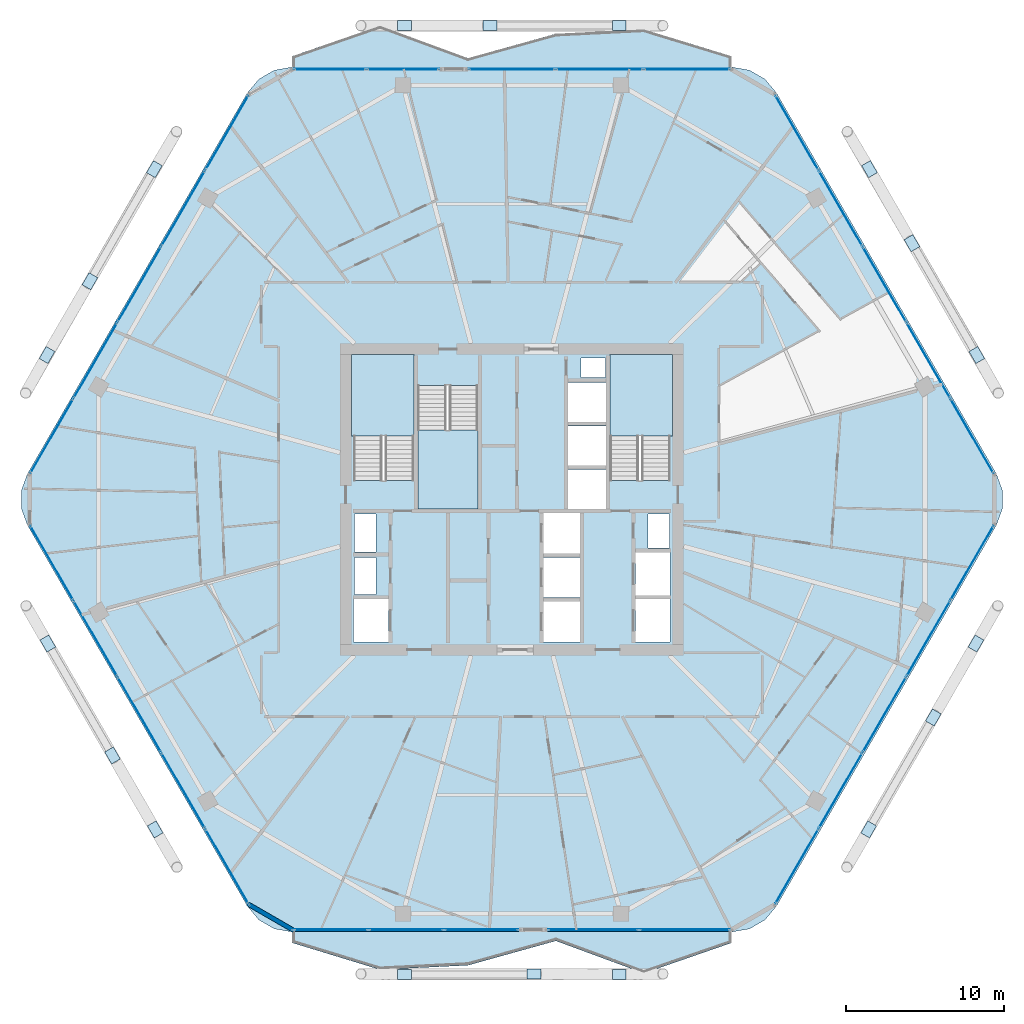
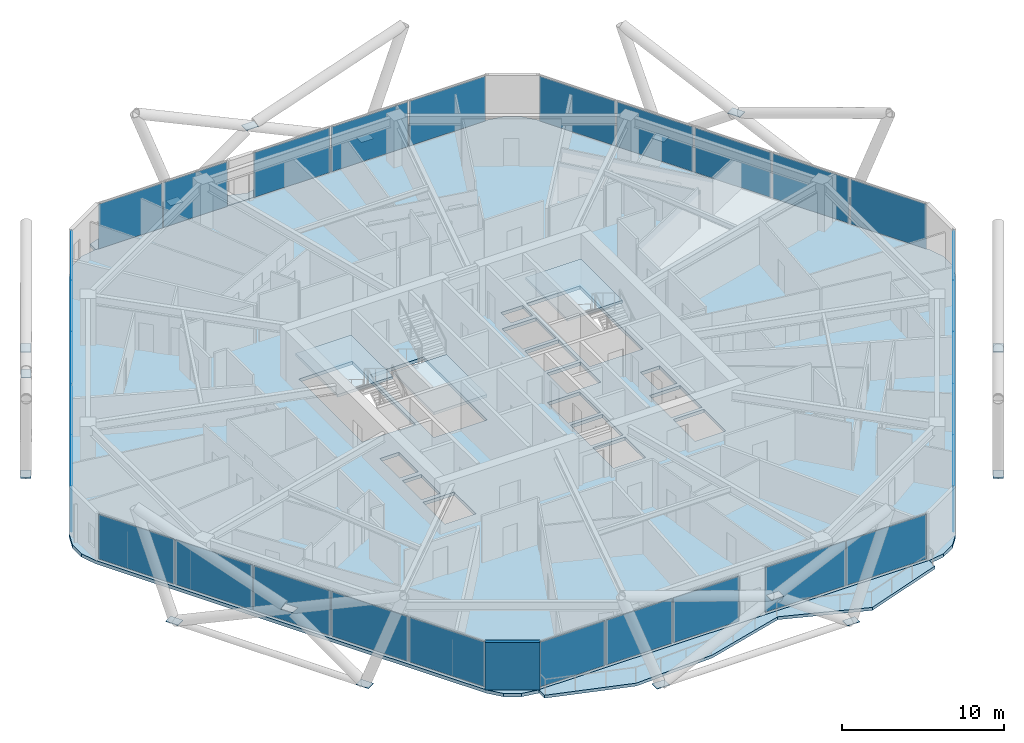
# One storey, part 20 of 29: 48 plates, 6 slabs, 1 wall, 11 elements without a shape of their own.
"""IFC4 building model written with IfcOpenShell, lengths in metres."""

from ifc_helpers import new_model, si_unit, direction, frame, frame_2d, origin, origin_2d, place, context, subcontext, project, spatial, polyline, rectangle, outline, extrude, material, layer, layer_set, type_object, element, aggregate, save


model = new_model("IFC4")

# Units and contexts
model_context = context("Model", 3, precision=1e-05, world=origin(), true_north=direction((0.0, 1.0)))
body_context = subcontext(model_context, "Body", "Model", "MODEL_VIEW")
ifc_project = project(units=[si_unit("LENGTHUNIT", "METRE"), si_unit("AREAUNIT", "SQUARE_METRE"), si_unit("VOLUMEUNIT", "CUBIC_METRE"), si_unit("PLANEANGLEUNIT", "RADIAN"), si_unit("MASSUNIT", "GRAM", prefix="KILO")], contexts=[model_context])

# Site, building, storey
site_placement = place(None, origin())
site = spatial("IfcSite", under=ifc_project, at=site_placement, CompositionType="ELEMENT")
building_placement = place(site_placement, origin())
building = spatial("IfcBuilding", under=site, at=building_placement, Name="Zuhravey Tower", CompositionType="ELEMENT")
storey_placement = place(building_placement, frame((0.0, 0.0, 184.60009765625)))
storey = spatial("IfcBuildingStorey", under=building, at=storey_placement, Name="L46", CompositionType="ELEMENT", Elevation=184.60009765625)

# Plates
ifc_material_1 = material(Name="Steel SM460", Category="steel")
ifc_layer_1 = layer(ifc_material_1, 0.035888671875)
ifc_layer_set_1 = layer_set([ifc_layer_1], Name="Steel SM460")
plate_type_1 = type_object("IfcPlateType", Name="Exoskeleton Zone 2 Node Plate ND2", PredefinedType="SHEET", material=ifc_layer_set_1)
for number, where, z_axis, x_axis, name in (
    (1, (65.373779296875, 41.129150390625, -0.48193359375), (0.0, 0.0, 1.0), (-0.5, 0.866025403784, 0.0), "L46 Exoskeleton Node Gusset L46-01"),
    (2, (58.593017578125, 52.8740234375, -0.48193359375), (0.0, 0.0, 1.0), (-0.5, 0.866025403784, 0.0), "L46 Exoskeleton Node Gusset L46-02"),
    (3, (42.781005859375, 61.943115234375, -0.48193359375), (0.0, 0.0, 1.0), (-1.0, 0.0, 0.0), "L46 Exoskeleton Node Gusset L46-03"),
    (4, (29.218994140625, 61.943115234375, -0.48193359375), (0.0, 0.0, 1.0), (-1.0, 0.0, 0.0), "L46 Exoskeleton Node Gusset L46-04"),
    (5, (13.406982421875, 52.8740234375, -0.48193359375), (0.0, 0.0, 1.0), (-0.5, -0.866025403784, 0.0), "L46 Exoskeleton Node Gusset L46-05"),
    (6, (6.626220703125, 41.129150390625, -0.48193359375), (0.0, 0.0, 1.0), (-0.5, -0.866025403784, 0.0), "L46 Exoskeleton Node Gusset L46-06"),
    (7, (6.677978515625, 22.90087890625, -0.48193359375), (0.0, 0.0, 1.0), (0.5, -0.866025403784, 0.0), "L46 Exoskeleton Node Gusset L46-07"),
    (8, (13.458984375, 11.156005859375, -0.48193359375), (0.0, 0.0, 1.0), (0.5, -0.866025403784, 0.0), "L46 Exoskeleton Node Gusset L46-08"),
    (9, (29.218994140625, 1.996826171875, -0.48193359375), (0.0, 0.0, 1.0), (1.0, 0.0, 0.0), "L46 Exoskeleton Node Gusset L46-09"),
    (10, (42.781005859375, 1.996826171875, -0.48193359375), (0.0, 0.0, 1.0), (1.0, 0.0, 0.0), "L46 Exoskeleton Node Gusset L46-10"),
    (11, (58.541015625, 11.156005859375, -0.48193359375), (0.0, 0.0, 1.0), (0.5, 0.866025403784, 0.0), "L46 Exoskeleton Node Gusset L46-11"),
    (12, (65.322021484375, 22.90087890625, -0.48193359375), (0.0, 0.0, 1.0), (0.5, 0.866025403784, 0.0), "L46 Exoskeleton Node Gusset L46-12"),
    (13, (61.27685546875, 48.1953125, 3.31787109375), (0.0, 0.0, 1.0), (-0.5, 0.866025403784, 0.0), "L46 Face 1 Diagrid X-Crossing Plate"),
    (14, (34.613037109375, 61.943115234375, 3.31787109375), (0.0, 0.0, 1.0), (-1.0, 0.0, 0.0), "L46 Face 2 Diagrid X-Crossing Plate"),
    (15, (9.3359375, 45.79296875, 3.31787109375), (0.0, 0.0, 1.0), (-0.5, -0.866025403784, 0.0), "L46 Face 3 Diagrid X-Crossing Plate"),
    (16, (10.761962890625, 15.8271484375, 3.31787109375), (0.0, 0.0, 1.0), (0.5, -0.866025403784, 0.0), "L46 Face 4 Diagrid X-Crossing Plate"),
    (17, (37.386962890625, 2.011962890625, 3.31787109375), (0.0, 0.0, 1.0), (1.0, 0.0, 0.0), "L46 Face 5 Diagrid X-Crossing Plate"),
    (18, (62.625, 18.2294921875, 3.31787109375), (0.0, 0.0, 1.0), (0.5, 0.866025403784, 0.0), "L46 Face 6 Diagrid X-Crossing Plate"),
):
    element("IfcPlate", number, at=place(storey_placement, frame(where, z_axis=z_axis, x_axis=x_axis)), inside=storey, type_object=plate_type_1, Name=name, PredefinedType="SHEET", context=body_context, shape_type="SweptSolid", body=[
        extrude(rectangle(XDim=0.8798828125, YDim=0.639892578125, at=origin_2d()), origin(), (0.0, 0.0, 1.0), 0.035888671875),
    ])

# Slabs
ifc_material_2 = material(Name="Concrete C50/60", Category="concrete")
ifc_layer_2 = layer(ifc_material_2, 0.25)
ifc_layer_set_2 = layer_set([ifc_layer_2], Name="Concrete C50/60")
slab_type_1 = type_object("IfcSlabType", Name="Residential Acoustic Slab 250", PredefinedType="FLOOR", material=ifc_layer_set_2)
slab_1_placement = place(storey_placement, frame((0.0, 0.0, -0.25)))
element("IfcSlab", 19, at=slab_1_placement, inside=storey, type_object=slab_type_1, Name="L46 Floor Slab FS25", PredefinedType="FLOOR", context=body_context, shape_type="SweptSolid", body=[
    extrude(outline(polyline([(66.61181640625, 30.375), (66.997802734375, 31.435546875), (66.997802734375, 32.564453125), (66.61181640625, 33.625), (52.713134765625, 57.697998046875), (51.98779296875, 58.562744140625), (51.01025390625, 59.127197265625), (49.898681640625, 59.322998046875), (22.101318359375, 59.322998046875), (20.98974609375, 59.127197265625), (20.01220703125, 58.562744140625), (19.286865234375, 57.697998046875), (5.38818359375, 33.625), (5.002197265625, 32.564453125), (5.002197265625, 31.435546875), (5.38818359375, 30.375), (19.286865234375, 6.302001953125), (20.01220703125, 5.437255859375), (20.98974609375, 4.872802734375), (22.101318359375, 4.677001953125), (49.898681640625, 4.677001953125), (51.01025390625, 4.872802734375), (51.98779296875, 5.437255859375), (52.713134765625, 6.302001953125), (66.61181640625, 30.375)]), holes=[polyline([(29.800048828125, 33.20068359375), (29.800048828125, 41.0), (26.0, 41.0), (26.0, 33.20068359375), (29.800048828125, 33.20068359375)]), polyline([(46.0, 33.20068359375), (46.0, 41.0), (42.199951171875, 41.0), (42.199951171875, 33.20068359375), (46.0, 33.20068359375)]), polyline([(30.050048828125, 39.199462890625), (30.050048828125, 31.39990234375), (33.85009765625, 31.39990234375), (33.85009765625, 39.199462890625), (30.050048828125, 39.199462890625)]), polyline([(38.0, 23.0), (40.300048828125, 23.0), (40.300048828125, 25.550048828125), (38.0, 25.550048828125), (38.0, 23.0)]), polyline([(38.0, 25.800048828125), (40.300048828125, 25.800048828125), (40.300048828125, 28.35009765625), (38.0, 28.35009765625), (38.0, 25.800048828125)]), polyline([(38.0, 28.60009765625), (40.300048828125, 28.60009765625), (40.300048828125, 31.14990234375), (38.0, 31.14990234375), (38.0, 28.60009765625)]), polyline([(39.550048828125, 31.39990234375), (41.949951171875, 31.39990234375), (41.949951171875, 33.89990234375), (39.550048828125, 33.89990234375), (39.550048828125, 31.39990234375)]), polyline([(39.550048828125, 34.14990234375), (41.949951171875, 34.14990234375), (41.949951171875, 36.64990234375), (39.550048828125, 36.64990234375), (39.550048828125, 34.14990234375)]), polyline([(39.550048828125, 36.89990234375), (41.949951171875, 36.89990234375), (41.949951171875, 39.39990234375), (39.550048828125, 39.39990234375), (39.550048828125, 36.89990234375)]), polyline([(26.0, 23.0), (28.199951171875, 23.0), (28.199951171875, 25.699951171875), (26.0, 25.699951171875), (26.0, 23.0)]), polyline([(43.800048828125, 23.0), (46.0, 23.0), (46.0, 25.699951171875), (43.800048828125, 25.699951171875), (43.800048828125, 23.0)]), polyline([(43.800048828125, 25.949951171875), (46.0, 25.949951171875), (46.0, 28.64990234375), (43.800048828125, 28.64990234375), (43.800048828125, 25.949951171875)]), polyline([(26.050048828125, 26.0), (27.39990234375, 26.0), (27.39990234375, 28.35009765625), (26.050048828125, 28.35009765625), (26.050048828125, 26.0)]), polyline([(26.050048828125, 28.699951171875), (27.39990234375, 28.699951171875), (27.39990234375, 31.10009765625), (26.050048828125, 31.10009765625), (26.050048828125, 28.699951171875)]), polyline([(44.60009765625, 28.949951171875), (45.949951171875, 28.949951171875), (45.949951171875, 31.10009765625), (44.60009765625, 31.10009765625), (44.60009765625, 28.949951171875)]), polyline([(40.35009765625, 39.699951171875), (41.89990234375, 39.699951171875), (41.89990234375, 40.949951171875), (40.35009765625, 40.949951171875), (40.35009765625, 39.699951171875)])]), origin(), (0.0, 0.0, 1.0), 0.25),
])
ifc_material_3 = material(Name="Concrete C40/50", Category="concrete")
ifc_layer_3 = layer(ifc_material_3, 0.219970703125)
ifc_layer_set_3 = layer_set([ifc_layer_3], Name="Concrete C40/50")
slab_type_2 = type_object("IfcSlabType", Name="Sinusoidal Residential Wave Balcony 220", PredefinedType="FLOOR", material=ifc_layer_set_3)
slab_2_placement = place(storey_placement, frame((0.0, 0.0, -0.22021484375)))
element("IfcSlab", 20, at=slab_2_placement, inside=storey, type_object=slab_type_2, Name="L46 Face 5 Wave Balcony WB22", PredefinedType="FLOOR", context=body_context, shape_type="SweptSolid", body=[
    extrude(outline(polyline([(22.110107421875, 4.69189453125), (49.889892578125, 4.69189453125), (49.889892578125, 3.991943359375), (44.333984375, 2.0673828125), (38.778076171875, 4.111572265625), (33.221923828125, 2.568603515625), (27.666015625, 2.294921875), (22.110107421875, 3.991943359375), (22.110107421875, 4.69189453125)])), origin(), (0.0, 0.0, 1.0), 0.22021484375),
])
slab_3_placement = place(storey_placement, frame((0.0, 0.0, -0.22021484375)))
element("IfcSlab", 21, at=slab_3_placement, inside=storey, type_object=slab_type_2, Name="L46 Face 2 Wave Balcony WB22", PredefinedType="FLOOR", context=body_context, shape_type="SweptSolid", body=[
    extrude(outline(polyline([(49.889892578125, 59.30810546875), (22.110107421875, 59.30810546875), (22.110107421875, 60.008056640625), (27.666015625, 61.9326171875), (33.221923828125, 59.888427734375), (38.778076171875, 61.431396484375), (44.333984375, 61.705078125), (49.889892578125, 60.008056640625), (49.889892578125, 59.30810546875)])), origin(), (0.0, 0.0, 1.0), 0.22021484375),
])

# Stair, slab
stair_type = type_object("IfcStairType", Name="Housing Storey Stair Assembly 3800", PredefinedType="HALF_TURN_STAIR", material=ifc_material_3)
stair_1_placement = place(storey_placement, origin())
stair_1 = element("IfcStair", 22, at=stair_1_placement, inside=storey, type_object=stair_type, Name="L46 Core Exit Stair ST1", PredefinedType="HALF_TURN_STAIR")
ifc_layer_4 = layer(ifc_material_3, 0.199951171875)
ifc_layer_set_4 = layer_set([ifc_layer_4], Name="Concrete C40/50")
slab_type_3 = type_object("IfcSlabType", Name="Stair Landing Slab 200", PredefinedType="LANDING", material=ifc_layer_set_4)
slab_4_placement = place(storey_placement, frame((0.0, 0.0, 1.699951171875)))
slab_4 = element("IfcSlab", 23, at=slab_4_placement, type_object=slab_type_3, Name="ST1 landing 1", PredefinedType="LANDING", context=body_context, shape_type="SweptSolid", body=[
    extrude(outline(polyline([(29.800048828125, 36.0), (29.800048828125, 41.14794921875), (25.85205078125, 41.14794921875), (25.85205078125, 36.0), (29.800048828125, 36.0)])), origin(), (0.0, 0.0, 1.0), 0.199951171875),
])
aggregate(stair_1, [slab_4])

stair_2_placement = place(storey_placement, origin())
stair_2 = element("IfcStair", 24, at=stair_2_placement, inside=storey, type_object=stair_type, Name="L46 Core Exit Stair ST2", PredefinedType="HALF_TURN_STAIR")
slab_5_placement = place(storey_placement, frame((0.0, 0.0, 1.699951171875)))
slab_5 = element("IfcSlab", 25, at=slab_5_placement, type_object=slab_type_3, Name="ST2 landing 1", PredefinedType="LANDING", context=body_context, shape_type="SweptSolid", body=[
    extrude(outline(polyline([(46.14794921875, 36.0), (46.14794921875, 41.14794921875), (42.199951171875, 41.14794921875), (42.199951171875, 36.0), (46.14794921875, 36.0)])), origin(), (0.0, 0.0, 1.0), 0.199951171875),
])
aggregate(stair_2, [slab_5])

stair_3_placement = place(storey_placement, origin())
stair_3 = element("IfcStair", 26, at=stair_3_placement, inside=storey, type_object=stair_type, Name="L46 Core Exit Stair ST3", PredefinedType="HALF_TURN_STAIR")
slab_6_placement = place(storey_placement, frame((0.0, 0.0, 1.699951171875)))
slab_6 = element("IfcSlab", 27, at=slab_6_placement, type_object=slab_type_3, Name="ST3 landing 1", PredefinedType="LANDING", context=body_context, shape_type="SweptSolid", body=[
    extrude(outline(polyline([(30.050048828125, 36.39990234375), (30.050048828125, 31.39990234375), (33.85009765625, 31.39990234375), (33.85009765625, 36.39990234375), (30.050048828125, 36.39990234375)])), origin(), (0.0, 0.0, 1.0), 0.199951171875),
])
aggregate(stair_3, [slab_6])

# Curtain wall, plates
ifc_material_4 = material(Name="Thermally broken anodised aluminium", Category="aluminium")
curtain_wall_type = type_object("IfcCurtainWallType", Name="Zone 1-2 Residential Curtain Wall CW3", PredefinedType="NOTDEFINED", material=ifc_material_4)
curtain_wall_1_placement = place(storey_placement, origin())
curtain_wall_1 = element("IfcCurtainWall", 28, at=curtain_wall_1_placement, inside=storey, type_object=curtain_wall_type, Name="L46 CW3 CW-L46-F6-1", PredefinedType="NOTDEFINED")
ifc_material_5 = material(Name="Triple low-E insulated vision glass", Category="glass")
ifc_layer_5 = layer(ifc_material_5, 0.0419921875)
ifc_layer_set_5 = layer_set([ifc_layer_5], Name="Triple low-E insulated vision glass")
plate_type_2 = type_object("IfcPlateType", Name="Triple Low-E Vision Panel", PredefinedType="CURTAIN_PANEL", material=ifc_layer_set_5)
plate_1_placement = place(storey_placement, frame((65.074462890625, 27.9921875, 0.08984375), z_axis=(0.0, 0.0, 1.0), x_axis=(-0.500000459979, -0.866025138215, 0.0)))
plate_1 = element("IfcPlate", 29, at=plate_1_placement, type_object=plate_type_2, Name="CW3 panel 1.1", PredefinedType="CURTAIN_PANEL", context=body_context, shape_type="SweptSolid", body=[
    extrude(rectangle(XDim=5.409423828125, YDim=0.0419921875, at=origin_2d()), origin(), (0.0, 0.0, 1.0), 3.3701171875),
])
plate_2_placement = place(storey_placement, frame((62.3134765625, 23.2099609375, 0.08984375), z_axis=(0.0, 0.0, 1.0), x_axis=(-0.500000459979, -0.866025138215, 0.0)))
plate_2 = element("IfcPlate", 30, at=plate_2_placement, type_object=plate_type_2, Name="CW3 panel 2.1", PredefinedType="CURTAIN_PANEL", context=body_context, shape_type="SweptSolid", body=[
    extrude(rectangle(XDim=5.454345703125, YDim=0.0419921875, at=origin_2d()), origin(), (0.0, 0.0, 1.0), 3.3701171875),
])
plate_3_placement = place(storey_placement, frame((59.541259765625, 18.408447265625, 0.08984375), z_axis=(0.0, 0.0, 1.0), x_axis=(-0.500000459979, -0.866025138215, 0.0)))
plate_3 = element("IfcPlate", 31, at=plate_3_placement, type_object=plate_type_2, Name="CW3 panel 3.1", PredefinedType="CURTAIN_PANEL", context=body_context, shape_type="SweptSolid", body=[
    extrude(rectangle(XDim=5.454345703125, YDim=0.0419921875, at=origin_2d()), origin(), (0.0, 0.0, 1.0), 3.3701171875),
])
plate_4_placement = place(storey_placement, frame((56.76904296875, 13.60693359375, 0.08984375), z_axis=(0.0, 0.0, 1.0), x_axis=(-0.500000459979, -0.866025138215, 0.0)))
plate_4 = element("IfcPlate", 32, at=plate_4_placement, type_object=plate_type_2, Name="CW3 panel 4.1", PredefinedType="CURTAIN_PANEL", context=body_context, shape_type="SweptSolid", body=[
    extrude(rectangle(XDim=5.454345703125, YDim=0.0419921875, at=origin_2d()), origin(), (0.0, 0.0, 1.0), 3.3701171875),
])
plate_5_placement = place(storey_placement, frame((54.008056640625, 8.82470703125, 0.08984375), z_axis=(0.0, 0.0, 1.0), x_axis=(-0.500000459979, -0.866025138215, 0.0)))
plate_5 = element("IfcPlate", 33, at=plate_5_placement, type_object=plate_type_2, Name="CW3 panel 5.1", PredefinedType="CURTAIN_PANEL", context=body_context, shape_type="SweptSolid", body=[
    extrude(rectangle(XDim=5.409423828125, YDim=0.0419921875, at=origin_2d()), origin(), (0.0, 0.0, 1.0), 3.3701171875),
])
aggregate(curtain_wall_1, [plate_1, plate_2, plate_3, plate_4, plate_5])

curtain_wall_2_placement = place(storey_placement, origin())
curtain_wall_2 = element("IfcCurtainWall", 34, at=curtain_wall_2_placement, inside=storey, type_object=curtain_wall_type, Name="L46 CW3 CW-L46-F5-1", PredefinedType="NOTDEFINED")
plate_6_placement = place(storey_placement, frame((46.921630859375, 4.81689453125, 0.08984375), z_axis=(0.0, 0.0, 1.0), x_axis=(-1.0, 0.0, 0.0)))
plate_6 = element("IfcPlate", 35, at=plate_6_placement, type_object=plate_type_2, Name="CW3 panel 1.1", PredefinedType="CURTAIN_PANEL", context=body_context, shape_type="SweptSolid", body=[
    extrude(rectangle(XDim=5.69921875, YDim=0.0419921875, at=origin_2d()), origin(), (0.0, 0.0, 1.0), 3.3701171875),
])
plate_7_placement = place(storey_placement, frame((41.13232421875, 4.81689453125, 0.08984375), z_axis=(0.0, 0.0, 1.0), x_axis=(-1.0, 0.0, 0.0)))
plate_7 = element("IfcPlate", 36, at=plate_7_placement, type_object=plate_type_2, Name="CW3 panel 2.1", PredefinedType="CURTAIN_PANEL", context=body_context, shape_type="SweptSolid", body=[
    extrude(rectangle(XDim=5.69921875, YDim=0.0419921875, at=origin_2d()), origin(), (0.0, 0.0, 1.0), 3.3701171875),
])
aggregate(curtain_wall_2, [plate_6, plate_7])

curtain_wall_3_placement = place(storey_placement, origin())
curtain_wall_3 = element("IfcCurtainWall", 37, at=curtain_wall_3_placement, inside=storey, type_object=curtain_wall_type, Name="L46 CW3 CW-L46-F5-2", PredefinedType="NOTDEFINED")
plate_8_placement = place(storey_placement, frame((34.077880859375, 4.81689453125, 0.08984375), z_axis=(0.0, 0.0, 1.0), x_axis=(-1.0, 0.0, 0.0)))
plate_8 = element("IfcPlate", 38, at=plate_8_placement, type_object=plate_type_2, Name="CW3 panel 1.1", PredefinedType="CURTAIN_PANEL", context=body_context, shape_type="SweptSolid", body=[
    extrude(rectangle(XDim=4.649658203125, YDim=0.0419921875, at=origin_2d()), origin(), (0.0, 0.0, 1.0), 3.3701171875),
])
plate_9_placement = place(storey_placement, frame((29.31591796875, 4.81689453125, 0.08984375), z_axis=(0.0, 0.0, 1.0), x_axis=(-1.0, 0.0, 0.0)))
plate_9 = element("IfcPlate", 39, at=plate_9_placement, type_object=plate_type_2, Name="CW3 panel 2.1", PredefinedType="CURTAIN_PANEL", context=body_context, shape_type="SweptSolid", body=[
    extrude(rectangle(XDim=4.694580078125, YDim=0.0419921875, at=origin_2d()), origin(), (0.0, 0.0, 1.0), 3.3701171875),
])
plate_10_placement = place(storey_placement, frame((24.5537109375, 4.81689453125, 0.08984375), z_axis=(0.0, 0.0, 1.0), x_axis=(-1.0, 0.0, 0.0)))
plate_10 = element("IfcPlate", 40, at=plate_10_placement, type_object=plate_type_2, Name="CW3 panel 3.1", PredefinedType="CURTAIN_PANEL", context=body_context, shape_type="SweptSolid", body=[
    extrude(rectangle(XDim=4.649658203125, YDim=0.0419921875, at=origin_2d()), origin(), (0.0, 0.0, 1.0), 3.3701171875),
])
aggregate(curtain_wall_3, [plate_8, plate_9, plate_10])

curtain_wall_4_placement = place(storey_placement, origin())
curtain_wall_4 = element("IfcCurtainWall", 41, at=curtain_wall_4_placement, inside=storey, type_object=curtain_wall_type, Name="L46 CW3 CW-L46-F4-1", PredefinedType="NOTDEFINED")
plate_11_placement = place(storey_placement, frame((17.991943359375, 8.82470703125, 0.08984375), z_axis=(0.0, 0.0, 1.0), x_axis=(-0.500000459979, 0.866025138215, 0.0)))
plate_11 = element("IfcPlate", 42, at=plate_11_placement, type_object=plate_type_2, Name="CW3 panel 1.1", PredefinedType="CURTAIN_PANEL", context=body_context, shape_type="SweptSolid", body=[
    extrude(rectangle(XDim=5.409423828125, YDim=0.0419921875, at=origin_2d()), origin(), (0.0, 0.0, 1.0), 3.3701171875),
])
plate_12_placement = place(storey_placement, frame((15.23095703125, 13.60693359375, 0.08984375), z_axis=(0.0, 0.0, 1.0), x_axis=(-0.500000459979, 0.866025138215, 0.0)))
plate_12 = element("IfcPlate", 43, at=plate_12_placement, type_object=plate_type_2, Name="CW3 panel 2.1", PredefinedType="CURTAIN_PANEL", context=body_context, shape_type="SweptSolid", body=[
    extrude(rectangle(XDim=5.454345703125, YDim=0.0419921875, at=origin_2d()), origin(), (0.0, 0.0, 1.0), 3.3701171875),
])
plate_13_placement = place(storey_placement, frame((12.458740234375, 18.408447265625, 0.08984375), z_axis=(0.0, 0.0, 1.0), x_axis=(-0.500000459979, 0.866025138215, 0.0)))
plate_13 = element("IfcPlate", 44, at=plate_13_placement, type_object=plate_type_2, Name="CW3 panel 3.1", PredefinedType="CURTAIN_PANEL", context=body_context, shape_type="SweptSolid", body=[
    extrude(rectangle(XDim=5.454345703125, YDim=0.0419921875, at=origin_2d()), origin(), (0.0, 0.0, 1.0), 3.3701171875),
])
plate_14_placement = place(storey_placement, frame((9.6865234375, 23.2099609375, 0.08984375), z_axis=(0.0, 0.0, 1.0), x_axis=(-0.500000459979, 0.866025138215, 0.0)))
plate_14 = element("IfcPlate", 45, at=plate_14_placement, type_object=plate_type_2, Name="CW3 panel 4.1", PredefinedType="CURTAIN_PANEL", context=body_context, shape_type="SweptSolid", body=[
    extrude(rectangle(XDim=5.454345703125, YDim=0.0419921875, at=origin_2d()), origin(), (0.0, 0.0, 1.0), 3.3701171875),
])
plate_15_placement = place(storey_placement, frame((6.925537109375, 27.9921875, 0.08984375), z_axis=(0.0, 0.0, 1.0), x_axis=(-0.500000459979, 0.866025138215, 0.0)))
plate_15 = element("IfcPlate", 46, at=plate_15_placement, type_object=plate_type_2, Name="CW3 panel 5.1", PredefinedType="CURTAIN_PANEL", context=body_context, shape_type="SweptSolid", body=[
    extrude(rectangle(XDim=5.409423828125, YDim=0.0419921875, at=origin_2d()), origin(), (0.0, 0.0, 1.0), 3.3701171875),
])
aggregate(curtain_wall_4, [plate_11, plate_12, plate_13, plate_14, plate_15])

curtain_wall_5_placement = place(storey_placement, origin())
curtain_wall_5 = element("IfcCurtainWall", 47, at=curtain_wall_5_placement, inside=storey, type_object=curtain_wall_type, Name="L46 CW3 CW-L46-F3-1", PredefinedType="NOTDEFINED")
plate_16_placement = place(storey_placement, frame((6.925537109375, 36.0078125, 0.08984375), z_axis=(0.0, 0.0, 1.0), x_axis=(0.500000459979, 0.866025138215, 0.0)))
plate_16 = element("IfcPlate", 48, at=plate_16_placement, type_object=plate_type_2, Name="CW3 panel 1.1", PredefinedType="CURTAIN_PANEL", context=body_context, shape_type="SweptSolid", body=[
    extrude(rectangle(XDim=5.409423828125, YDim=0.0419921875, at=origin_2d()), origin(), (0.0, 0.0, 1.0), 3.3701171875),
])
plate_17_placement = place(storey_placement, frame((9.6865234375, 40.7900390625, 0.08984375), z_axis=(0.0, 0.0, 1.0), x_axis=(0.500000459979, 0.866025138215, 0.0)))
plate_17 = element("IfcPlate", 49, at=plate_17_placement, type_object=plate_type_2, Name="CW3 panel 2.1", PredefinedType="CURTAIN_PANEL", context=body_context, shape_type="SweptSolid", body=[
    extrude(rectangle(XDim=5.454345703125, YDim=0.0419921875, at=origin_2d()), origin(), (0.0, 0.0, 1.0), 3.3701171875),
])
plate_18_placement = place(storey_placement, frame((12.458740234375, 45.591552734375, 0.08984375), z_axis=(0.0, 0.0, 1.0), x_axis=(0.500000459979, 0.866025138215, 0.0)))
plate_18 = element("IfcPlate", 50, at=plate_18_placement, type_object=plate_type_2, Name="CW3 panel 3.1", PredefinedType="CURTAIN_PANEL", context=body_context, shape_type="SweptSolid", body=[
    extrude(rectangle(XDim=5.454345703125, YDim=0.0419921875, at=origin_2d()), origin(), (0.0, 0.0, 1.0), 3.3701171875),
])
plate_19_placement = place(storey_placement, frame((15.23095703125, 50.39306640625, 0.08984375), z_axis=(0.0, 0.0, 1.0), x_axis=(0.500000459979, 0.866025138215, 0.0)))
plate_19 = element("IfcPlate", 51, at=plate_19_placement, type_object=plate_type_2, Name="CW3 panel 4.1", PredefinedType="CURTAIN_PANEL", context=body_context, shape_type="SweptSolid", body=[
    extrude(rectangle(XDim=5.454345703125, YDim=0.0419921875, at=origin_2d()), origin(), (0.0, 0.0, 1.0), 3.3701171875),
])
plate_20_placement = place(storey_placement, frame((17.991943359375, 55.17529296875, 0.08984375), z_axis=(0.0, 0.0, 1.0), x_axis=(0.500000459979, 0.866025138215, 0.0)))
plate_20 = element("IfcPlate", 52, at=plate_20_placement, type_object=plate_type_2, Name="CW3 panel 5.1", PredefinedType="CURTAIN_PANEL", context=body_context, shape_type="SweptSolid", body=[
    extrude(rectangle(XDim=5.409423828125, YDim=0.0419921875, at=origin_2d()), origin(), (0.0, 0.0, 1.0), 3.3701171875),
])
aggregate(curtain_wall_5, [plate_16, plate_17, plate_18, plate_19, plate_20])

curtain_wall_6_placement = place(storey_placement, origin())
curtain_wall_6 = element("IfcCurtainWall", 53, at=curtain_wall_6_placement, inside=storey, type_object=curtain_wall_type, Name="L46 CW3 CW-L46-F2-1", PredefinedType="NOTDEFINED")
plate_21_placement = place(storey_placement, frame((24.497802734375, 59.18310546875, 0.08984375), z_axis=(0.0, 0.0, 1.0), x_axis=(1.0, 0.0, 0.0)))
plate_21 = element("IfcPlate", 54, at=plate_21_placement, type_object=plate_type_2, Name="CW3 panel 1.1", PredefinedType="CURTAIN_PANEL", context=body_context, shape_type="SweptSolid", body=[
    extrude(rectangle(XDim=4.537841796875, YDim=0.0419921875, at=origin_2d()), origin(), (0.0, 0.0, 1.0), 3.3701171875),
])
plate_22_placement = place(storey_placement, frame((29.125732421875, 59.18310546875, 0.08984375), z_axis=(0.0, 0.0, 1.0), x_axis=(1.0, 0.0, 0.0)))
plate_22 = element("IfcPlate", 55, at=plate_22_placement, type_object=plate_type_2, Name="CW3 panel 2.1", PredefinedType="CURTAIN_PANEL", context=body_context, shape_type="SweptSolid", body=[
    extrude(rectangle(XDim=4.537841796875, YDim=0.0419921875, at=origin_2d()), origin(), (0.0, 0.0, 1.0), 3.3701171875),
])
aggregate(curtain_wall_6, [plate_21, plate_22])

curtain_wall_7_placement = place(storey_placement, origin())
curtain_wall_7 = element("IfcCurtainWall", 56, at=curtain_wall_7_placement, inside=storey, type_object=curtain_wall_type, Name="L46 CW3 CW-L46-F2-2", PredefinedType="NOTDEFINED")
plate_23_placement = place(storey_placement, frame((35.986572265625, 59.18310546875, 0.08984375), z_axis=(0.0, 0.0, 1.0), x_axis=(1.0, 0.0, 0.0)))
plate_23 = element("IfcPlate", 57, at=plate_23_placement, type_object=plate_type_2, Name="CW3 panel 1.1", PredefinedType="CURTAIN_PANEL", context=body_context, shape_type="SweptSolid", body=[
    extrude(rectangle(XDim=5.423828125, YDim=0.0419921875, at=origin_2d()), origin(), (0.0, 0.0, 1.0), 3.3701171875),
])
plate_24_placement = place(storey_placement, frame((41.52294921875, 59.18310546875, 0.08984375), z_axis=(0.0, 0.0, 1.0), x_axis=(1.0, 0.0, 0.0)))
plate_24 = element("IfcPlate", 58, at=plate_24_placement, type_object=plate_type_2, Name="CW3 panel 2.1", PredefinedType="CURTAIN_PANEL", context=body_context, shape_type="SweptSolid", body=[
    extrude(rectangle(XDim=5.46875, YDim=0.0419921875, at=origin_2d()), origin(), (0.0, 0.0, 1.0), 3.3701171875),
])
plate_25_placement = place(storey_placement, frame((47.05908203125, 59.18310546875, 0.08984375), z_axis=(0.0, 0.0, 1.0), x_axis=(1.0, 0.0, 0.0)))
plate_25 = element("IfcPlate", 59, at=plate_25_placement, type_object=plate_type_2, Name="CW3 panel 3.1", PredefinedType="CURTAIN_PANEL", context=body_context, shape_type="SweptSolid", body=[
    extrude(rectangle(XDim=5.423828125, YDim=0.0419921875, at=origin_2d()), origin(), (0.0, 0.0, 1.0), 3.3701171875),
])
aggregate(curtain_wall_7, [plate_23, plate_24, plate_25])

curtain_wall_8_placement = place(storey_placement, origin())
curtain_wall_8 = element("IfcCurtainWall", 60, at=curtain_wall_8_placement, inside=storey, type_object=curtain_wall_type, Name="L46 CW3 CW-L46-F1-1", PredefinedType="NOTDEFINED")
plate_26_placement = place(storey_placement, frame((54.008056640625, 55.17529296875, 0.08984375), z_axis=(0.0, 0.0, 1.0), x_axis=(0.500000459979, -0.866025138215, 0.0)))
plate_26 = element("IfcPlate", 61, at=plate_26_placement, type_object=plate_type_2, Name="CW3 panel 1.1", PredefinedType="CURTAIN_PANEL", context=body_context, shape_type="SweptSolid", body=[
    extrude(rectangle(XDim=5.409423828125, YDim=0.0419921875, at=origin_2d()), origin(), (0.0, 0.0, 1.0), 3.3701171875),
])
plate_27_placement = place(storey_placement, frame((56.76904296875, 50.39306640625, 0.08984375), z_axis=(0.0, 0.0, 1.0), x_axis=(0.500000459979, -0.866025138215, 0.0)))
plate_27 = element("IfcPlate", 62, at=plate_27_placement, type_object=plate_type_2, Name="CW3 panel 2.1", PredefinedType="CURTAIN_PANEL", context=body_context, shape_type="SweptSolid", body=[
    extrude(rectangle(XDim=5.454345703125, YDim=0.0419921875, at=origin_2d()), origin(), (0.0, 0.0, 1.0), 3.3701171875),
])
plate_28_placement = place(storey_placement, frame((59.541259765625, 45.591552734375, 0.08984375), z_axis=(0.0, 0.0, 1.0), x_axis=(0.500000459979, -0.866025138215, 0.0)))
plate_28 = element("IfcPlate", 63, at=plate_28_placement, type_object=plate_type_2, Name="CW3 panel 3.1", PredefinedType="CURTAIN_PANEL", context=body_context, shape_type="SweptSolid", body=[
    extrude(rectangle(XDim=5.454345703125, YDim=0.0419921875, at=origin_2d()), origin(), (0.0, 0.0, 1.0), 3.3701171875),
])
plate_29_placement = place(storey_placement, frame((62.3134765625, 40.7900390625, 0.08984375), z_axis=(0.0, 0.0, 1.0), x_axis=(0.500000459979, -0.866025138215, 0.0)))
plate_29 = element("IfcPlate", 64, at=plate_29_placement, type_object=plate_type_2, Name="CW3 panel 4.1", PredefinedType="CURTAIN_PANEL", context=body_context, shape_type="SweptSolid", body=[
    extrude(rectangle(XDim=5.454345703125, YDim=0.0419921875, at=origin_2d()), origin(), (0.0, 0.0, 1.0), 3.3701171875),
])
plate_30_placement = place(storey_placement, frame((65.074462890625, 36.0078125, 0.08984375), z_axis=(0.0, 0.0, 1.0), x_axis=(0.500000459979, -0.866025138215, 0.0)))
plate_30 = element("IfcPlate", 65, at=plate_30_placement, type_object=plate_type_2, Name="CW3 panel 5.1", PredefinedType="CURTAIN_PANEL", context=body_context, shape_type="SweptSolid", body=[
    extrude(rectangle(XDim=5.409423828125, YDim=0.0419921875, at=origin_2d()), origin(), (0.0, 0.0, 1.0), 3.3701171875),
])
aggregate(curtain_wall_8, [plate_26, plate_27, plate_28, plate_29, plate_30])

# Wall
ifc_material_6 = material(Name="Precast concrete C40/50", Category="concrete")
ifc_layer_6 = layer(ifc_material_6, 0.280029296875)
ifc_layer_set_6 = layer_set([ifc_layer_6], Name="Precast concrete C40/50")
wall_type = type_object("IfcWallType", Name="Crown Architectural Wall 280", PredefinedType="SOLIDWALL", material=ifc_layer_set_6)
wall_placement = place(storey_placement, frame((22.22119140625, 4.769287109375, 0.0), z_axis=(0.0, 0.0, 1.0), x_axis=(-0.866020068361, 0.500009241111, 0.0)))
element("IfcWall", 66, at=wall_placement, inside=storey, type_object=wall_type, Name="L46 Rounded Corner Closure Wall EW28-04", PredefinedType="SOLIDWALL", context=body_context, shape_type="SweptSolid", body=[
    extrude(rectangle(XDim=3.365234375, YDim=0.280029296875, at=frame_2d((1.6826171875, 0.0))), origin(), (0.0, 0.0, 1.0), 3.5498046875),
])

save(model, "model.ifc")
